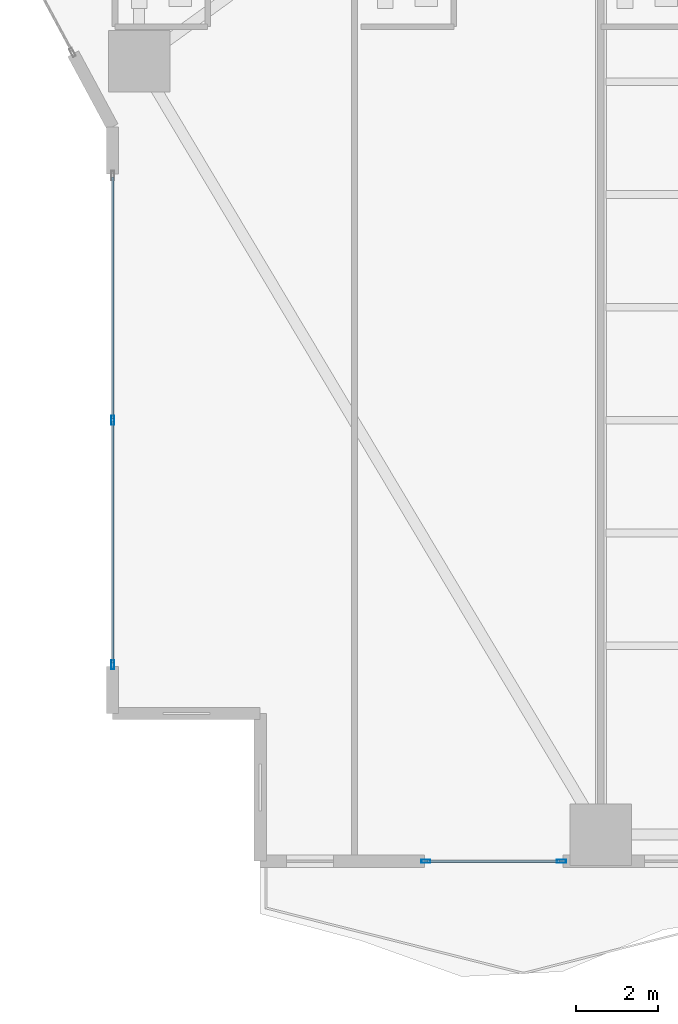
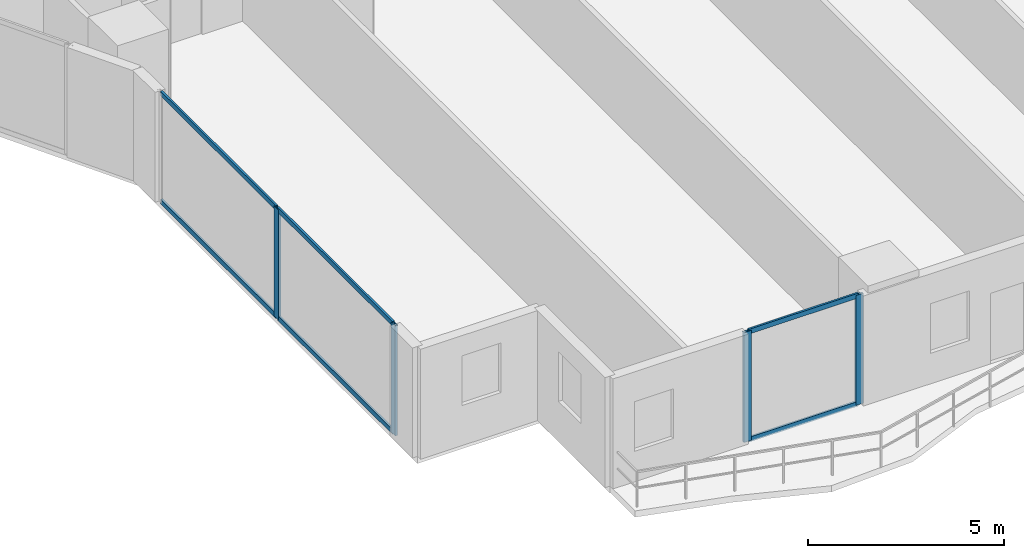
# One storey, part 2 of 29: 10 members, 2 elements without a shape of their own.
"""IFC4 building model written with IfcOpenShell, lengths in metres."""

from ifc_helpers import new_model, si_unit, direction, frame, origin, origin_2d, place, context, subcontext, project, spatial, hollow_rectangle, extrude, material, layer, layer_set, material_profile, profile_set, type_object, element, aggregate, save


model = new_model("IFC4")

# Units and contexts
model_context = context("Model", 3, precision=1e-05, world=origin(), true_north=direction((0.0, 1.0)))
body_context = subcontext(model_context, "Body", "Model", "MODEL_VIEW")
ifc_project = project(units=[si_unit("LENGTHUNIT", "METRE"), si_unit("AREAUNIT", "SQUARE_METRE"), si_unit("VOLUMEUNIT", "CUBIC_METRE"), si_unit("PLANEANGLEUNIT", "RADIAN"), si_unit("MASSUNIT", "GRAM", prefix="KILO")], contexts=[model_context])

# Site, building, storey
site_placement = place(None, origin())
site = spatial("IfcSite", under=ifc_project, at=site_placement, CompositionType="ELEMENT")
building_placement = place(site_placement, origin())
building = spatial("IfcBuilding", under=site, at=building_placement, Name="Zuhayl Quay Hotel", CompositionType="ELEMENT")
storey_placement = place(building_placement, frame((0.0, 0.0, 60.449951171875)))
storey = spatial("IfcBuildingStorey", under=building, at=storey_placement, Name="L14", CompositionType="ELEMENT", Elevation=60.449951171875)

# Curtain wall, members
ifc_material_1 = material(Name="Anodised Aluminium 6063-T6", Category="aluminium")
ifc_layer = layer(ifc_material_1, 0.18994140625, Name="Anodised Aluminium 6063-T6", Category="aluminium")
ifc_layer_set = layer_set([ifc_layer], Name="Anodised Aluminium 6063-T6")
curtain_wall_type = type_object("IfcCurtainWallType", Name="CW_SYS_Z1", PredefinedType="USERDEFINED", material=ifc_layer_set)
curtain_wall_1_placement = place(storey_placement, origin())
curtain_wall_1 = element("IfcCurtainWall", 1, at=curtain_wall_1_placement, inside=storey, type_object=curtain_wall_type, Name="L14 Curtain Wall ENV_L14_E02_CW1", ObjectType="UNITISED CURTAIN WALL", PredefinedType="USERDEFINED")
ifc_material_2 = material(Name="Black-anodised aluminium 6063-T6", Category="aluminium")
ifc_material_profile_1 = material_profile(ifc_material_2, hollow_rectangle(XDim=0.074951171875, YDim=0.219970703125, WallThickness=0.00390625, at=origin_2d()), Name="ALU220X75")
ifc_profile_set_1 = profile_set([ifc_material_profile_1], Name="Black-anodised aluminium 6063-T6")
member_type_1 = type_object("IfcMemberType", Name="MB_CW_MUL_220", PredefinedType="MULLION", material=ifc_profile_set_1)
member_1_placement = place(storey_placement, frame((-25.699951171875, -18.3125, 0.0), z_axis=(0.0, 0.0, 1.0), x_axis=(-1.0, 0.0, 0.0)))
member_1 = element("IfcMember", 2, at=member_1_placement, type_object=member_type_1, Name="CW-Z1 mullion 1", PredefinedType="MULLION", context=body_context, shape_type="SweptSolid", body=[
    extrude(hollow_rectangle(XDim=0.074951171875, YDim=0.219970703125, WallThickness=0.00390625, at=origin_2d()), origin(), (0.0, 0.0, 1.0), 3.429931640625),
])
member_2_placement = place(storey_placement, frame((-25.699951171875, -12.35009765625, 0.0), z_axis=(0.0, 0.0, 1.0), x_axis=(-1.0, 0.0, 0.0)))
member_2 = element("IfcMember", 3, at=member_2_placement, type_object=member_type_1, Name="CW-Z1 mullion 2", PredefinedType="MULLION", context=body_context, shape_type="SweptSolid", body=[
    extrude(hollow_rectangle(XDim=0.074951171875, YDim=0.219970703125, WallThickness=0.00390625, at=origin_2d()), origin(), (0.0, 0.0, 1.0), 3.429931640625),
])

curtain_wall_2_placement = place(storey_placement, origin())
curtain_wall_2 = element("IfcCurtainWall", 4, at=curtain_wall_2_placement, inside=storey, type_object=curtain_wall_type, Name="L14 Curtain Wall ENV_L14_S_CW7", ObjectType="UNITISED CURTAIN WALL", PredefinedType="USERDEFINED")
member_3_placement = place(storey_placement, frame((-14.757568359375, -23.10009765625, 0.0), z_axis=(0.0, 0.0, 1.0), x_axis=(0.0, -1.0, 0.0)))
member_3 = element("IfcMember", 5, at=member_3_placement, type_object=member_type_1, Name="CW-Z1 mullion 1", PredefinedType="MULLION", context=body_context, shape_type="SweptSolid", body=[
    extrude(hollow_rectangle(XDim=0.074951171875, YDim=0.219970703125, WallThickness=0.00390625, at=origin_2d()), origin(), (0.0, 0.0, 1.0), 3.429931640625),
])
member_4_placement = place(storey_placement, frame((-18.0625, -23.10009765625, 0.0), z_axis=(0.0, 0.0, 1.0), x_axis=(0.0, -1.0, 0.0)))
member_4 = element("IfcMember", 6, at=member_4_placement, type_object=member_type_1, Name="CW-Z1 mullion 2", PredefinedType="MULLION", context=body_context, shape_type="SweptSolid", body=[
    extrude(hollow_rectangle(XDim=0.074951171875, YDim=0.219970703125, WallThickness=0.00390625, at=origin_2d()), origin(), (0.0, 0.0, 1.0), 3.429931640625),
])

# Member
ifc_material_profile_2 = material_profile(ifc_material_2, hollow_rectangle(XDim=0.06005859375, YDim=0.14990234375, WallThickness=0.00341796875, at=origin_2d()), Name="ALU150X60")
ifc_profile_set_2 = profile_set([ifc_material_profile_2], Name="Black-anodised aluminium 6063-T6")
member_type_2 = type_object("IfcMemberType", Name="MB_CW_TRN_150", PredefinedType="USERDEFINED", material=ifc_profile_set_2)
member_5_placement = place(storey_placement, frame((-25.699951171875, -18.27490234375, 0.030029296875), z_axis=(0.0, 1.0, 0.0), x_axis=(-1.0, 0.0, 0.0)))
member_5 = element("IfcMember", 7, at=member_5_placement, type_object=member_type_2, Name="CW-Z1 transom 1.1", ObjectType="TRANSOM", PredefinedType="USERDEFINED", context=body_context, shape_type="SweptSolid", body=[
    extrude(hollow_rectangle(XDim=0.06005859375, YDim=0.14990234375, WallThickness=0.00341796875, at=origin_2d()), origin(), (0.0, 0.0, 1.0), 5.887451171875),
])

member_6_placement = place(storey_placement, frame((-25.699951171875, -18.27490234375, 3.400146484375), z_axis=(0.0, 1.0, 0.0), x_axis=(-1.0, 0.0, 0.0)))
member_6 = element("IfcMember", 8, at=member_6_placement, type_object=member_type_2, Name="CW-Z1 transom 1.2", ObjectType="TRANSOM", PredefinedType="USERDEFINED", context=body_context, shape_type="SweptSolid", body=[
    extrude(hollow_rectangle(XDim=0.06005859375, YDim=0.14990234375, WallThickness=0.00341796875, at=origin_2d()), origin(), (0.0, 0.0, 1.0), 5.887451171875),
])

member_7_placement = place(storey_placement, frame((-25.699951171875, -12.3125, 0.030029296875), z_axis=(0.0, 1.0, 0.0), x_axis=(-1.0, 0.0, 0.0)))
member_7 = element("IfcMember", 9, at=member_7_placement, type_object=member_type_2, Name="CW-Z1 transom 2.1", ObjectType="TRANSOM", PredefinedType="USERDEFINED", context=body_context, shape_type="SweptSolid", body=[
    extrude(hollow_rectangle(XDim=0.06005859375, YDim=0.14990234375, WallThickness=0.00341796875, at=origin_2d()), origin(), (0.0, 0.0, 1.0), 5.887451171875),
])

member_8_placement = place(storey_placement, frame((-25.699951171875, -12.3125, 3.400146484375), z_axis=(0.0, 1.0, 0.0), x_axis=(-1.0, 0.0, 0.0)))
member_8 = element("IfcMember", 10, at=member_8_placement, type_object=member_type_2, Name="CW-Z1 transom 2.2", ObjectType="TRANSOM", PredefinedType="USERDEFINED", context=body_context, shape_type="SweptSolid", body=[
    extrude(hollow_rectangle(XDim=0.06005859375, YDim=0.14990234375, WallThickness=0.00341796875, at=origin_2d()), origin(), (0.0, 0.0, 1.0), 5.887451171875),
])

aggregate(curtain_wall_1, [member_1, member_2, member_5, member_6, member_7, member_8])

member_9_placement = place(storey_placement, frame((-14.794921875, -23.10009765625, 0.030029296875), z_axis=(-1.0, 0.0, 0.0), x_axis=(0.0, -1.0, 0.0)))
member_9 = element("IfcMember", 11, at=member_9_placement, type_object=member_type_2, Name="CW-Z1 transom 1.1", ObjectType="TRANSOM", PredefinedType="USERDEFINED", context=body_context, shape_type="SweptSolid", body=[
    extrude(hollow_rectangle(XDim=0.06005859375, YDim=0.14990234375, WallThickness=0.00341796875, at=origin_2d()), origin(), (0.0, 0.0, 1.0), 3.22998046875),
])

member_10_placement = place(storey_placement, frame((-14.794921875, -23.10009765625, 3.400146484375), z_axis=(-1.0, 0.0, 0.0), x_axis=(0.0, -1.0, 0.0)))
member_10 = element("IfcMember", 12, at=member_10_placement, type_object=member_type_2, Name="CW-Z1 transom 1.2", ObjectType="TRANSOM", PredefinedType="USERDEFINED", context=body_context, shape_type="SweptSolid", body=[
    extrude(hollow_rectangle(XDim=0.06005859375, YDim=0.14990234375, WallThickness=0.00341796875, at=origin_2d()), origin(), (0.0, 0.0, 1.0), 3.22998046875),
])

aggregate(curtain_wall_2, [member_3, member_4, member_9, member_10])

save(model, "model.ifc")
